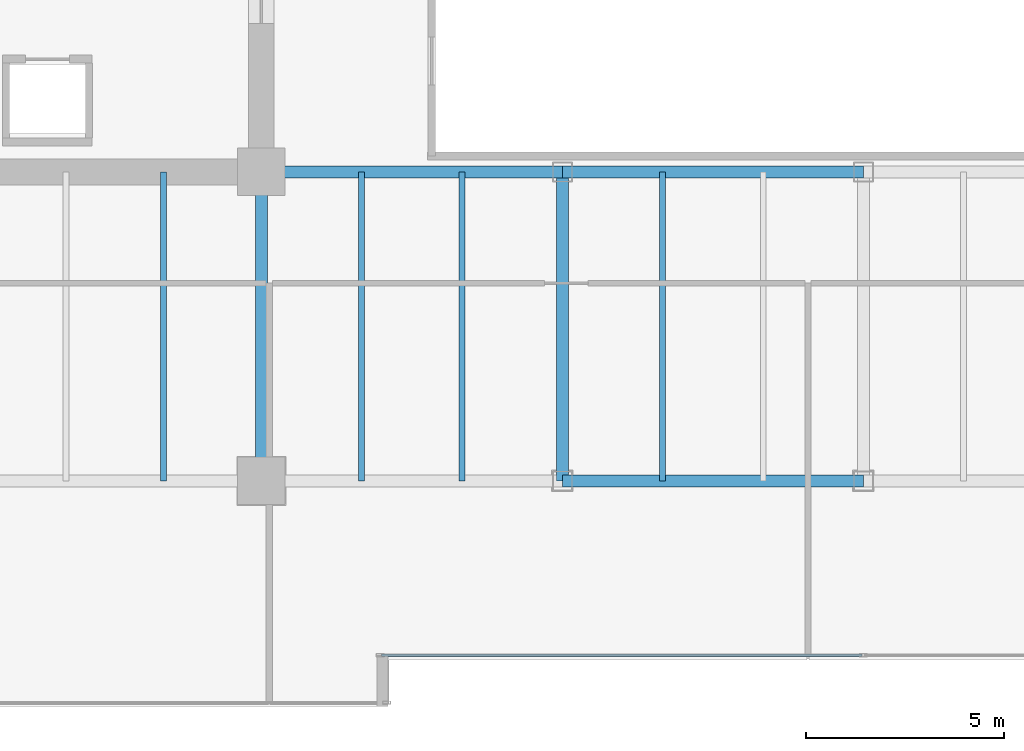
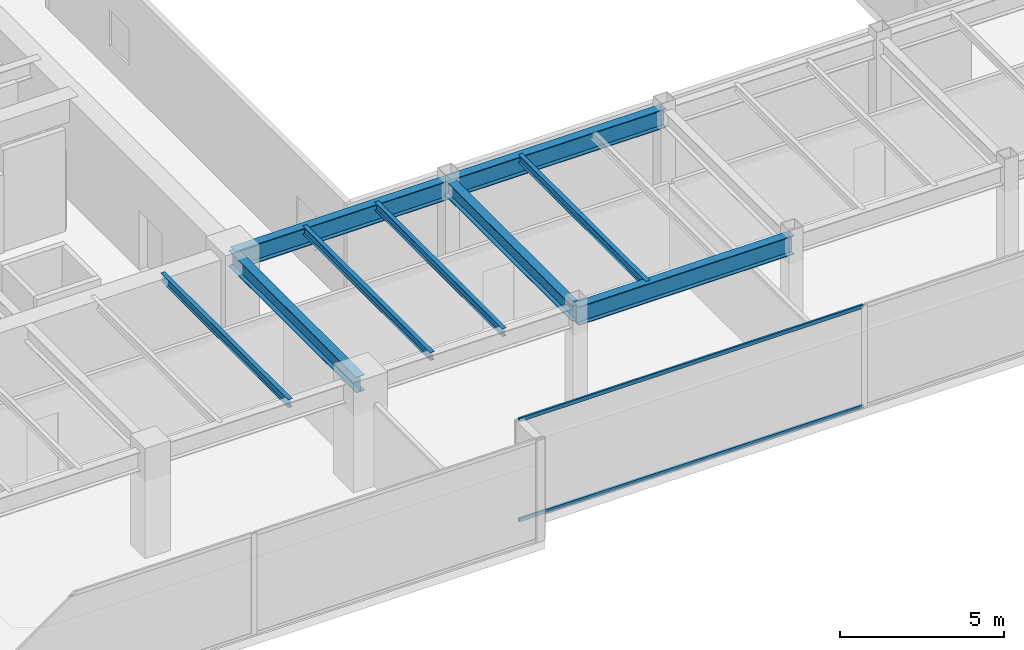
# One storey, part 5 of 34: 9 beams, 2 members, 1 element without a shape of its own.
"""IFC4 building model written with IfcOpenShell, lengths in metres."""

from ifc_helpers import new_model, si_unit, direction, frame, origin, origin_2d, place, context, subcontext, project, spatial, hollow_rectangle, i_section, extrude, source, transform, mapped, material, layer, layer_set, material_profile, profile_set, type_object, type_shapes, element, aggregate, save


model = new_model("IFC4")

# Units and contexts
model_context = context("Model", 3, precision=1e-05, world=origin(), true_north=direction((0.0, 1.0)))
body_context = subcontext(model_context, "Body", "Model", "MODEL_VIEW")
ifc_project = project(units=[si_unit("LENGTHUNIT", "METRE"), si_unit("AREAUNIT", "SQUARE_METRE"), si_unit("VOLUMEUNIT", "CUBIC_METRE"), si_unit("PLANEANGLEUNIT", "RADIAN"), si_unit("MASSUNIT", "GRAM", prefix="KILO")], contexts=[model_context])

# Site, building, storey
site_placement = place(None, origin())
site = spatial("IfcSite", under=ifc_project, at=site_placement, CompositionType="ELEMENT")
building_placement = place(site_placement, origin())
building = spatial("IfcBuilding", under=site, at=building_placement, Name="Haelvirn Gate Laboratories", CompositionType="ELEMENT")
storey_placement = place(building_placement, frame((0.0, 0.0, 178.89990234375)))
storey = spatial("IfcBuildingStorey", under=building, at=storey_placement, Name="L43", CompositionType="ELEMENT", Elevation=178.89990234375)

# Beams
ifc_material_1 = material(Name="Steel SM355", Category="steel")
ifc_material_profile_1 = material_profile(ifc_material_1, i_section(OverallWidth=0.300048828125, OverallDepth=0.699951171875, WebThickness=0.012939453125, FlangeThickness=0.02392578125, at=origin_2d()), Name="H-700x300x13x24")
ifc_profile_set_1 = profile_set([ifc_material_profile_1], Name="Steel SM355")
beam_type_1 = type_object("IfcBeamType", Name="BM-G-700", PredefinedType="BEAM", material=ifc_profile_set_1)
shared_shape_1 = source(origin(), body_context, "Body", "SweptSolid", [
    extrude(i_section(OverallWidth=0.300048828125, OverallDepth=0.699951171875, WebThickness=0.012939453125, FlangeThickness=0.02392578125, at=origin_2d()), origin(), (0.0, 0.0, 1.0), 7.60009765625),
])
beam_placement = place(storey_placement, frame((22.199951171875, 14.800048828125, 3.440185546875), z_axis=(1.0, 0.0, 0.0), x_axis=(0.0, 1.0, 0.0)))
element("IfcBeam", 1, at=beam_placement, inside=storey, type_object=beam_type_1, Name="L43 Primary Girder Y14.8 (22.2-29.8)", PredefinedType="BEAM", context=body_context, shape_type="MappedRepresentation", body=[
    mapped(shared_shape_1, transform((0.0, 0.0, 0.0), scale=1.0)),
])
shared_shape_2 = source(origin(), body_context, "Body", "SweptSolid", [
    extrude(i_section(OverallWidth=0.300048828125, OverallDepth=0.699951171875, WebThickness=0.012939453125, FlangeThickness=0.02392578125, at=origin_2d()), origin(), (0.0, 0.0, 1.0), 7.599853515625),
])
type_shapes(beam_type_1, [shared_shape_1, shared_shape_2])
for number, where, z_axis, x_axis, name in (
    (2, (29.800048828125, 7.0, 3.440185546875), (1.0, 0.0, 0.0), (0.0, 1.0, 0.0), "L43 Primary Girder Y7.0 (29.8-37.4)"),
    (3, (29.800048828125, 14.800048828125, 3.440185546875), (1.0, 0.0, 0.0), (0.0, 1.0, 0.0), "L43 Primary Girder Y14.8 (29.8-37.4)"),
):
    element("IfcBeam", number, at=place(storey_placement, frame(where, z_axis=z_axis, x_axis=x_axis)), inside=storey, type_object=beam_type_1, Name=name, PredefinedType="BEAM", context=body_context, shape_type="MappedRepresentation", body=[
        mapped(shared_shape_2, transform((0.0, 0.0, 0.0), scale=1.0)),
    ])
ifc_material_profile_2 = material_profile(ifc_material_1, i_section(OverallWidth=0.14990234375, OverallDepth=0.300048828125, WebThickness=0.006591796875, FlangeThickness=0.009033203125, at=origin_2d()), Name="H-300x150x6.5x9")
ifc_profile_set_2 = profile_set([ifc_material_profile_2], Name="Steel SM355")
beam_type_2 = type_object("IfcBeamType", Name="BM-J-300", PredefinedType="JOIST", material=ifc_profile_set_2)
shared_shape_3 = source(origin(), body_context, "Body", "SweptSolid", [
    extrude(i_section(OverallWidth=0.14990234375, OverallDepth=0.300048828125, WebThickness=0.006591796875, FlangeThickness=0.009033203125, at=origin_2d()), origin(), (0.0, 0.0, 1.0), 7.800048828125),
])
type_shapes(beam_type_2, [shared_shape_3])
for number, where, z_axis, x_axis, name in (
    (4, (19.72998046875, 7.0, 3.64013671875), (0.0, 1.0, 0.0), (-1.0, 0.0, 0.0), "L43 Composite Lab Joist South X19.73"),
    (5, (24.72998046875, 7.0, 3.64013671875), (0.0, 1.0, 0.0), (-1.0, 0.0, 0.0), "L43 Composite Lab Joist South X24.73"),
    (6, (27.27001953125, 7.0, 3.64013671875), (0.0, 1.0, 0.0), (-1.0, 0.0, 0.0), "L43 Composite Lab Joist South X27.27"),
    (7, (32.330078125, 7.0, 3.64013671875), (0.0, 1.0, 0.0), (-1.0, 0.0, 0.0), "L43 Composite Lab Joist South X32.33"),
):
    element("IfcBeam", number, at=place(storey_placement, frame(where, z_axis=z_axis, x_axis=x_axis)), inside=storey, type_object=beam_type_2, Name=name, PredefinedType="JOIST", context=body_context, shape_type="MappedRepresentation", body=[
        mapped(shared_shape_3, transform((0.0, 0.0, 0.0), scale=1.0)),
    ])
ifc_material_profile_3 = material_profile(ifc_material_1, i_section(OverallWidth=0.300048828125, OverallDepth=0.587890625, WebThickness=0.011962890625, FlangeThickness=0.02001953125, at=origin_2d()), Name="H-588x300x12x20")
ifc_profile_set_3 = profile_set([ifc_material_profile_3], Name="Steel SM355")
beam_type_3 = type_object("IfcBeamType", Name="BM-G-588", PredefinedType="BEAM", material=ifc_profile_set_3)
shared_shape_4 = source(origin(), body_context, "Body", "SweptSolid", [
    extrude(i_section(OverallWidth=0.300048828125, OverallDepth=0.587890625, WebThickness=0.011962890625, FlangeThickness=0.02001953125, at=origin_2d()), origin(), (0.0, 0.0, 1.0), 7.800048828125),
])
type_shapes(beam_type_3, [shared_shape_4])
for number, where, z_axis, x_axis, name in (
    (8, (22.199951171875, 7.0, 3.49609375), (0.0, 1.0, 0.0), (-1.0, 0.0, 0.0), "L43 Frame Girder X22.2 (7.0-14.8)"),
    (9, (29.800048828125, 7.0, 3.49609375), (0.0, 1.0, 0.0), (-1.0, 0.0, 0.0), "L43 Frame Girder X29.8 (7.0-14.8)"),
):
    element("IfcBeam", number, at=place(storey_placement, frame(where, z_axis=z_axis, x_axis=x_axis)), inside=storey, type_object=beam_type_3, Name=name, PredefinedType="BEAM", context=body_context, shape_type="MappedRepresentation", body=[
        mapped(shared_shape_4, transform((0.0, 0.0, 0.0), scale=1.0)),
    ])

# Curtain wall, members
ifc_material_2 = material(Name="Anodised bronze unitised aluminium & triple low-E glass", Category="aluminium")
ifc_layer = layer(ifc_material_2, 0.179931640625, Name="CW-SYS-3")
ifc_layer_set = layer_set([ifc_layer], Name="Anodised bronze unitised aluminium & triple low-E glass")
curtain_wall_type = type_object("IfcCurtainWallType", Name="CW-SYS-3", PredefinedType="NOTDEFINED", material=ifc_layer_set)
curtain_wall_placement = place(storey_placement, origin())
curtain_wall = element("IfcCurtainWall", 10, at=curtain_wall_placement, inside=storey, type_object=curtain_wall_type, Name="L43 Unitised Curtain Wall CW-L43-P0-E02-1", PredefinedType="NOTDEFINED")
ifc_material_3 = material(Name="Extruded aluminium 6063-T6 (anodised bronze)", Category="aluminium")
ifc_material_profile_4 = material_profile(ifc_material_3, hollow_rectangle(XDim=0.06494140625, YDim=0.139892578125, WallThickness=0.00390625, at=origin_2d()), Name="CWT-140x65x4")
ifc_profile_set_4 = profile_set([ifc_material_profile_4], Name="Extruded aluminium 6063-T6 (anodised bronze)")
member_type = type_object("IfcMemberType", Name="CWT-T140", PredefinedType="USERDEFINED", material=ifc_profile_set_4)
shared_shape_5 = source(origin(), body_context, "Body", "SweptSolid", [
    extrude(hollow_rectangle(XDim=0.06494140625, YDim=0.139892578125, WallThickness=0.00390625, at=origin_2d()), origin(), (0.0, 0.0, 1.0), 12.12744140625),
])
type_shapes(member_type, [shared_shape_5])
member_1_placement = place(storey_placement, frame((25.235107421875, 2.60009765625, 0.03271484375), z_axis=(1.0, 0.0, 0.0), x_axis=(0.0, 1.0, 0.0)))
member_1 = element("IfcMember", 11, at=member_1_placement, type_object=member_type, Name="CW3 transom 1.1", ObjectType="TRANSOM", PredefinedType="USERDEFINED", context=body_context, shape_type="MappedRepresentation", body=[
    mapped(shared_shape_5, transform((0.0, 0.0, 0.0), scale=1.0)),
])
member_2_placement = place(storey_placement, frame((25.235107421875, 2.60009765625, 3.757568359375), z_axis=(1.0, 0.0, 0.0), x_axis=(0.0, 1.0, 0.0)))
member_2 = element("IfcMember", 12, at=member_2_placement, type_object=member_type, Name="CW3 transom 1.2", ObjectType="TRANSOM", PredefinedType="USERDEFINED", context=body_context, shape_type="MappedRepresentation", body=[
    mapped(shared_shape_5, transform((0.0, 0.0, 0.0), scale=1.0)),
])
aggregate(curtain_wall, [member_1, member_2])

save(model, "model.ifc")
